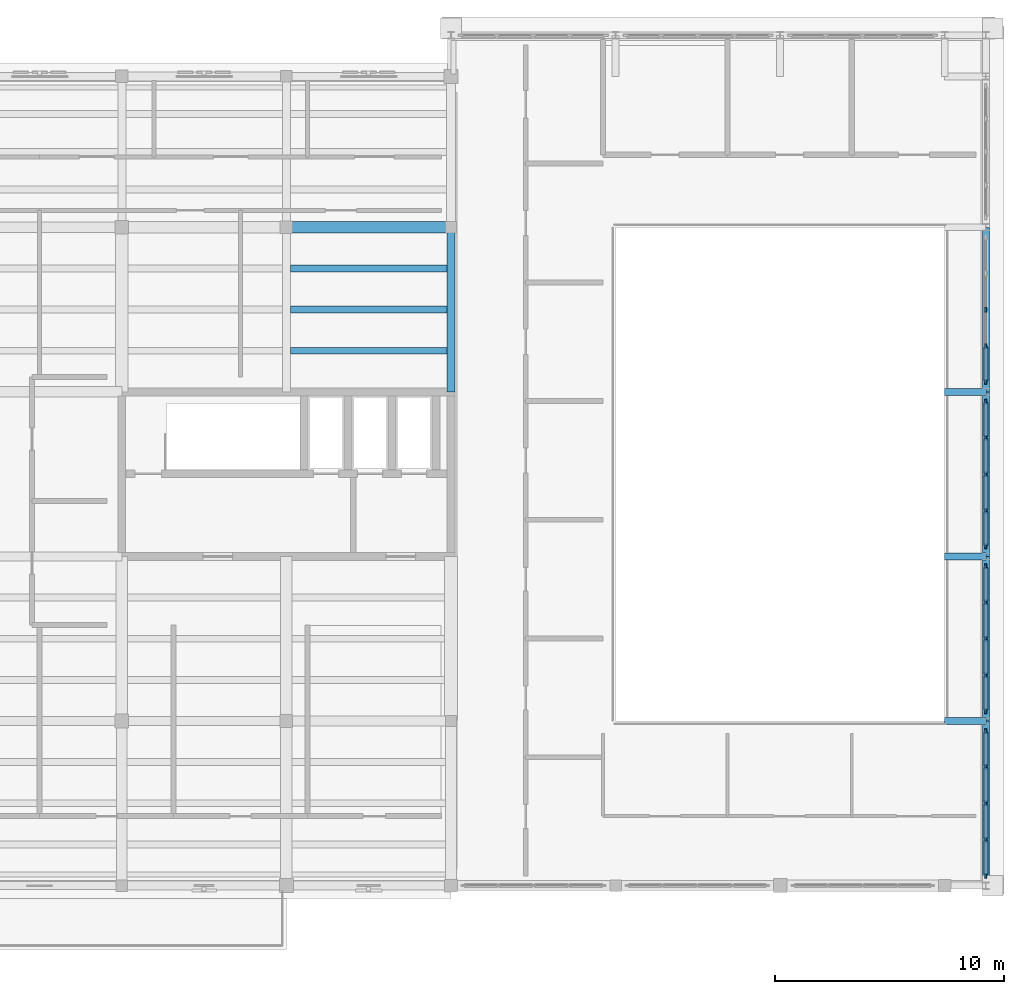
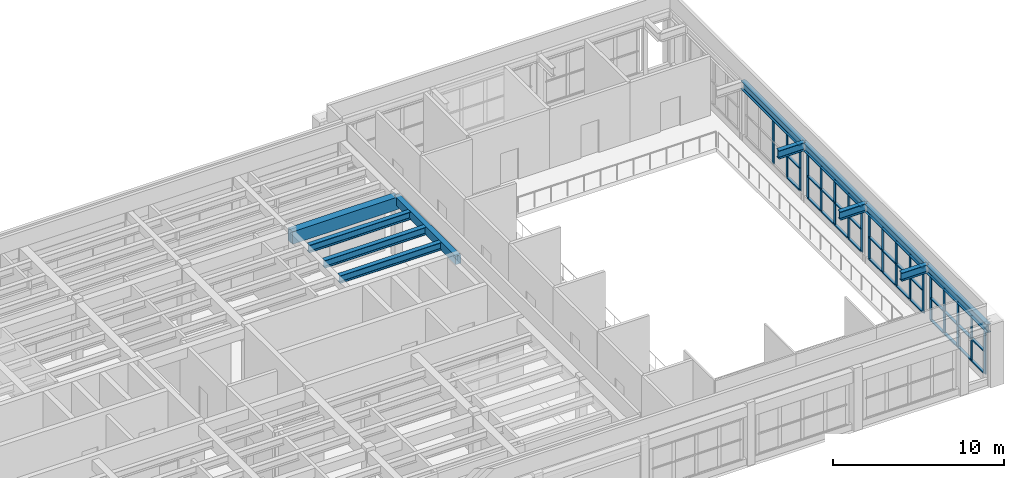
# One storey, part 7 of 18: 57 members, 12 beams, 4 elements without a shape of their own.
"""IFC4 building model written with IfcOpenShell, lengths in metres."""

from ifc_helpers import new_model, si_unit, direction, frame, origin, origin_2d, place, context, subcontext, project, spatial, rectangle, i_section, extrude, material, material_profile, profile_set, type_object, element, aggregate, save


model = new_model("IFC4")

# Units and contexts
model_context = context("Model", 3, precision=1e-05, world=origin(), true_north=direction((0.0, 1.0)))
body_context = subcontext(model_context, "Body", "Model", "MODEL_VIEW")
ifc_project = project(units=[si_unit("LENGTHUNIT", "METRE"), si_unit("AREAUNIT", "SQUARE_METRE"), si_unit("VOLUMEUNIT", "CUBIC_METRE"), si_unit("PLANEANGLEUNIT", "RADIAN"), si_unit("MASSUNIT", "GRAM", prefix="KILO")], contexts=[model_context])

# Site, building, storey
site_placement = place(None, origin())
site = spatial("IfcSite", under=ifc_project, at=site_placement, CompositionType="ELEMENT")
building_placement = place(site_placement, origin())
building = spatial("IfcBuilding", under=site, at=building_placement, Name="Mithqara Police Headquarters", CompositionType="ELEMENT")
storey_placement = place(building_placement, frame((0.0, 0.0, 30.89990234375)))
storey = spatial("IfcBuildingStorey", under=building, at=storey_placement, Name="L07", CompositionType="ELEMENT", Elevation=30.89990234375)

# Beams
ifc_material_1 = material(Name="Steel S355JR", Category="steel")
ifc_material_profile_1 = material_profile(ifc_material_1, i_section(OverallWidth=0.300048828125, OverallDepth=0.550048828125, WebThickness=0.014892578125, FlangeThickness=0.029052734375, FilletRadius=0.027099609375, at=origin_2d()), Name="HEB 550")
ifc_profile_set_1 = profile_set([ifc_material_profile_1], Name="Steel S355JR")
beam_type_1 = type_object("IfcBeamType", Name="BEAM HEB550", PredefinedType="BEAM", material=ifc_profile_set_1)
for number, where, z_axis, x_axis, name in (
    (1, (137.574951171875, 102.0, 3.97509765625), (1.0, 0.0, 0.0), (0.0, 1.0, 0.0), "L07 Composite Steel Joist 20-21/Q.1"),
    (2, (137.574951171875, 103.800048828125, 3.97509765625), (1.0, 0.0, 0.0), (0.0, 1.0, 0.0), "L07 Composite Steel Joist 20-21/Q.2"),
    (3, (137.574951171875, 105.60009765625, 3.97509765625), (1.0, 0.0, 0.0), (0.0, 1.0, 0.0), "L07 Composite Steel Joist 20-21/Q.3"),
):
    element("IfcBeam", number, at=place(storey_placement, frame(where, z_axis=z_axis, x_axis=x_axis)), inside=storey, type_object=beam_type_1, Name=name, PredefinedType="BEAM", context=body_context, shape_type="SweptSolid", body=[
        extrude(i_section(OverallWidth=0.300048828125, OverallDepth=0.550048828125, WebThickness=0.014892578125, FlangeThickness=0.029052734375, FilletRadius=0.027099609375, at=origin_2d()), origin(), (0.0, 0.0, 1.0), 6.85009765625),
    ])
ifc_material_2 = material(Name="Concrete C40/50", Category="concrete")
ifc_material_profile_2 = material_profile(ifc_material_2, rectangle(XDim=0.35009765625, YDim=0.60009765625, at=origin_2d()), Name="RC 350x600")
ifc_profile_set_2 = profile_set([ifc_material_profile_2], Name="Concrete C40/50")
beam_type_2 = type_object("IfcBeamType", Name="BEAM RC350X600", PredefinedType="BEAM", material=ifc_profile_set_2)
beam_1_placement = place(storey_placement, frame((144.60009765625, 100.199951171875, 3.9501953125), z_axis=(0.0, 1.0, 0.0), x_axis=(-1.0, 0.0, 0.0)))
element("IfcBeam", 4, at=beam_1_placement, inside=storey, type_object=beam_type_2, Name="L07 Girder 21/Q-R", PredefinedType="BEAM", context=body_context, shape_type="SweptSolid", body=[
    extrude(rectangle(XDim=0.35009765625, YDim=0.60009765625, at=origin_2d()), origin(), (0.0, 0.0, 1.0), 7.199951171875),
])
ifc_material_3 = material(Name="Concrete C50/60", Category="concrete")
ifc_material_profile_3 = material_profile(ifc_material_3, rectangle(XDim=0.5, YDim=0.89990234375, at=origin_2d()), Name="RC 500x900")
ifc_profile_set_3 = profile_set([ifc_material_profile_3], Name="Concrete C50/60")
beam_type_3 = type_object("IfcBeamType", Name="BEAM RC500X900", PredefinedType="BEAM", material=ifc_profile_set_3)
beam_2_placement = place(storey_placement, frame((137.39990234375, 107.39990234375, 3.800048828125), z_axis=(1.0, 0.0, 0.0), x_axis=(0.0, 1.0, 0.0)))
element("IfcBeam", 5, at=beam_2_placement, inside=storey, type_object=beam_type_3, Name="L07 Girder 20-21/R", PredefinedType="BEAM", context=body_context, shape_type="SweptSolid", body=[
    extrude(rectangle(XDim=0.5, YDim=0.89990234375, at=origin_2d()), origin(), (0.0, 0.0, 1.0), 7.2001953125),
])

# Curtain wall, members
ifc_material_4 = material(Name="Bronze anodised aluminium 6063-T6", Category="aluminium")
curtain_wall_type = type_object("IfcCurtainWallType", Name="CURTAIN WALL 6400X3200", PredefinedType="USERDEFINED", material=ifc_material_4)
curtain_wall_1_placement = place(storey_placement, origin())
curtain_wall_1 = element("IfcCurtainWall", 6, at=curtain_wall_1_placement, inside=storey, type_object=curtain_wall_type, Name="L07 Unitised Glazing CW-09 (CW-CUBE-L07-P0-E02-S0-00)", ObjectType="UNITISED GLAZING", PredefinedType="USERDEFINED")
ifc_material_profile_4 = material_profile(ifc_material_4, rectangle(XDim=0.074951171875, YDim=0.219970703125, at=origin_2d()), Name="CWM 75x220")
ifc_profile_set_4 = profile_set([ifc_material_profile_4], Name="Bronze anodised aluminium 6063-T6")
member_type_1 = type_object("IfcMemberType", Name="CWMULLION 75X220", PredefinedType="MULLION", material=ifc_profile_set_4)
member_1_placement = place(storey_placement, frame((168.0, 79.03759765625, 0.4501953125), z_axis=(0.0, 0.0, 1.0), x_axis=(-1.0, 0.0, 0.0)))
member_1 = element("IfcMember", 7, at=member_1_placement, type_object=member_type_1, Name="CW-09 mullion 1", PredefinedType="MULLION", context=body_context, shape_type="SweptSolid", body=[
    extrude(rectangle(XDim=0.074951171875, YDim=0.219970703125, at=origin_2d()), origin(), (0.0, 0.0, 1.0), 3.199951171875),
])
member_2_placement = place(storey_placement, frame((168.0, 80.60009765625, 0.4501953125), z_axis=(0.0, 0.0, 1.0), x_axis=(-1.0, 0.0, 0.0)))
member_2 = element("IfcMember", 8, at=member_2_placement, type_object=member_type_1, Name="CW-09 mullion 2", PredefinedType="MULLION", context=body_context, shape_type="SweptSolid", body=[
    extrude(rectangle(XDim=0.074951171875, YDim=0.219970703125, at=origin_2d()), origin(), (0.0, 0.0, 1.0), 3.199951171875),
])
member_3_placement = place(storey_placement, frame((168.0, 82.199951171875, 0.4501953125), z_axis=(0.0, 0.0, 1.0), x_axis=(-1.0, 0.0, 0.0)))
member_3 = element("IfcMember", 9, at=member_3_placement, type_object=member_type_1, Name="CW-09 mullion 3", PredefinedType="MULLION", context=body_context, shape_type="SweptSolid", body=[
    extrude(rectangle(XDim=0.074951171875, YDim=0.219970703125, at=origin_2d()), origin(), (0.0, 0.0, 1.0), 3.199951171875),
])
member_4_placement = place(storey_placement, frame((168.0, 83.800048828125, 0.4501953125), z_axis=(0.0, 0.0, 1.0), x_axis=(-1.0, 0.0, 0.0)))
member_4 = element("IfcMember", 10, at=member_4_placement, type_object=member_type_1, Name="CW-09 mullion 4", PredefinedType="MULLION", context=body_context, shape_type="SweptSolid", body=[
    extrude(rectangle(XDim=0.074951171875, YDim=0.219970703125, at=origin_2d()), origin(), (0.0, 0.0, 1.0), 3.199951171875),
])
member_5_placement = place(storey_placement, frame((168.0, 85.362548828125, 0.4501953125), z_axis=(0.0, 0.0, 1.0), x_axis=(-1.0, 0.0, 0.0)))
member_5 = element("IfcMember", 11, at=member_5_placement, type_object=member_type_1, Name="CW-09 mullion 5", PredefinedType="MULLION", context=body_context, shape_type="SweptSolid", body=[
    extrude(rectangle(XDim=0.074951171875, YDim=0.219970703125, at=origin_2d()), origin(), (0.0, 0.0, 1.0), 3.199951171875),
])

curtain_wall_2_placement = place(storey_placement, origin())
curtain_wall_2 = element("IfcCurtainWall", 12, at=curtain_wall_2_placement, inside=storey, type_object=curtain_wall_type, Name="L07 Unitised Glazing CW-09 (CW-CUBE-L07-P0-E02-S0-01)", ObjectType="UNITISED GLAZING", PredefinedType="USERDEFINED")
member_6_placement = place(storey_placement, frame((168.0, 86.237548828125, 0.4501953125), z_axis=(0.0, 0.0, 1.0), x_axis=(-1.0, 0.0, 0.0)))
member_6 = element("IfcMember", 13, at=member_6_placement, type_object=member_type_1, Name="CW-09 mullion 1", PredefinedType="MULLION", context=body_context, shape_type="SweptSolid", body=[
    extrude(rectangle(XDim=0.074951171875, YDim=0.219970703125, at=origin_2d()), origin(), (0.0, 0.0, 1.0), 3.199951171875),
])
member_7_placement = place(storey_placement, frame((168.0, 87.800048828125, 0.4501953125), z_axis=(0.0, 0.0, 1.0), x_axis=(-1.0, 0.0, 0.0)))
member_7 = element("IfcMember", 14, at=member_7_placement, type_object=member_type_1, Name="CW-09 mullion 2", PredefinedType="MULLION", context=body_context, shape_type="SweptSolid", body=[
    extrude(rectangle(XDim=0.074951171875, YDim=0.219970703125, at=origin_2d()), origin(), (0.0, 0.0, 1.0), 3.199951171875),
])
member_8_placement = place(storey_placement, frame((168.0, 89.39990234375, 0.4501953125), z_axis=(0.0, 0.0, 1.0), x_axis=(-1.0, 0.0, 0.0)))
member_8 = element("IfcMember", 15, at=member_8_placement, type_object=member_type_1, Name="CW-09 mullion 3", PredefinedType="MULLION", context=body_context, shape_type="SweptSolid", body=[
    extrude(rectangle(XDim=0.074951171875, YDim=0.219970703125, at=origin_2d()), origin(), (0.0, 0.0, 1.0), 3.199951171875),
])
member_9_placement = place(storey_placement, frame((168.0, 91.0, 0.4501953125), z_axis=(0.0, 0.0, 1.0), x_axis=(-1.0, 0.0, 0.0)))
member_9 = element("IfcMember", 16, at=member_9_placement, type_object=member_type_1, Name="CW-09 mullion 4", PredefinedType="MULLION", context=body_context, shape_type="SweptSolid", body=[
    extrude(rectangle(XDim=0.074951171875, YDim=0.219970703125, at=origin_2d()), origin(), (0.0, 0.0, 1.0), 3.199951171875),
])
member_10_placement = place(storey_placement, frame((168.0, 92.5625, 0.4501953125), z_axis=(0.0, 0.0, 1.0), x_axis=(-1.0, 0.0, 0.0)))
member_10 = element("IfcMember", 17, at=member_10_placement, type_object=member_type_1, Name="CW-09 mullion 5", PredefinedType="MULLION", context=body_context, shape_type="SweptSolid", body=[
    extrude(rectangle(XDim=0.074951171875, YDim=0.219970703125, at=origin_2d()), origin(), (0.0, 0.0, 1.0), 3.199951171875),
])

curtain_wall_3_placement = place(storey_placement, origin())
curtain_wall_3 = element("IfcCurtainWall", 18, at=curtain_wall_3_placement, inside=storey, type_object=curtain_wall_type, Name="L07 Unitised Glazing CW-09 (CW-CUBE-L07-P0-E02-S0-02)", ObjectType="UNITISED GLAZING", PredefinedType="USERDEFINED")
member_11_placement = place(storey_placement, frame((168.0, 93.4375, 0.4501953125), z_axis=(0.0, 0.0, 1.0), x_axis=(-1.0, 0.0, 0.0)))
member_11 = element("IfcMember", 19, at=member_11_placement, type_object=member_type_1, Name="CW-09 mullion 1", PredefinedType="MULLION", context=body_context, shape_type="SweptSolid", body=[
    extrude(rectangle(XDim=0.074951171875, YDim=0.219970703125, at=origin_2d()), origin(), (0.0, 0.0, 1.0), 3.199951171875),
])
member_12_placement = place(storey_placement, frame((168.0, 95.0, 0.4501953125), z_axis=(0.0, 0.0, 1.0), x_axis=(-1.0, 0.0, 0.0)))
member_12 = element("IfcMember", 20, at=member_12_placement, type_object=member_type_1, Name="CW-09 mullion 2", PredefinedType="MULLION", context=body_context, shape_type="SweptSolid", body=[
    extrude(rectangle(XDim=0.074951171875, YDim=0.219970703125, at=origin_2d()), origin(), (0.0, 0.0, 1.0), 3.199951171875),
])
member_13_placement = place(storey_placement, frame((168.0, 96.60009765625, 0.4501953125), z_axis=(0.0, 0.0, 1.0), x_axis=(-1.0, 0.0, 0.0)))
member_13 = element("IfcMember", 21, at=member_13_placement, type_object=member_type_1, Name="CW-09 mullion 3", PredefinedType="MULLION", context=body_context, shape_type="SweptSolid", body=[
    extrude(rectangle(XDim=0.074951171875, YDim=0.219970703125, at=origin_2d()), origin(), (0.0, 0.0, 1.0), 3.199951171875),
])
member_14_placement = place(storey_placement, frame((168.0, 98.199951171875, 0.4501953125), z_axis=(0.0, 0.0, 1.0), x_axis=(-1.0, 0.0, 0.0)))
member_14 = element("IfcMember", 22, at=member_14_placement, type_object=member_type_1, Name="CW-09 mullion 4", PredefinedType="MULLION", context=body_context, shape_type="SweptSolid", body=[
    extrude(rectangle(XDim=0.074951171875, YDim=0.219970703125, at=origin_2d()), origin(), (0.0, 0.0, 1.0), 3.199951171875),
])
member_15_placement = place(storey_placement, frame((168.0, 99.762451171875, 0.4501953125), z_axis=(0.0, 0.0, 1.0), x_axis=(-1.0, 0.0, 0.0)))
member_15 = element("IfcMember", 23, at=member_15_placement, type_object=member_type_1, Name="CW-09 mullion 5", PredefinedType="MULLION", context=body_context, shape_type="SweptSolid", body=[
    extrude(rectangle(XDim=0.074951171875, YDim=0.219970703125, at=origin_2d()), origin(), (0.0, 0.0, 1.0), 3.199951171875),
])

curtain_wall_4_placement = place(storey_placement, origin())
curtain_wall_4 = element("IfcCurtainWall", 24, at=curtain_wall_4_placement, inside=storey, type_object=curtain_wall_type, Name="L07 Unitised Glazing CW-09 (CW-CUBE-L07-P0-E02-S0-03)", ObjectType="UNITISED GLAZING", PredefinedType="USERDEFINED")
member_16_placement = place(storey_placement, frame((168.0, 100.637451171875, 0.4501953125), z_axis=(0.0, 0.0, 1.0), x_axis=(-1.0, 0.0, 0.0)))
member_16 = element("IfcMember", 25, at=member_16_placement, type_object=member_type_1, Name="CW-09 mullion 1", PredefinedType="MULLION", context=body_context, shape_type="SweptSolid", body=[
    extrude(rectangle(XDim=0.074951171875, YDim=0.219970703125, at=origin_2d()), origin(), (0.0, 0.0, 1.0), 3.199951171875),
])
member_17_placement = place(storey_placement, frame((168.0, 102.199951171875, 0.4501953125), z_axis=(0.0, 0.0, 1.0), x_axis=(-1.0, 0.0, 0.0)))
member_17 = element("IfcMember", 26, at=member_17_placement, type_object=member_type_1, Name="CW-09 mullion 2", PredefinedType="MULLION", context=body_context, shape_type="SweptSolid", body=[
    extrude(rectangle(XDim=0.074951171875, YDim=0.219970703125, at=origin_2d()), origin(), (0.0, 0.0, 1.0), 3.199951171875),
])
member_18_placement = place(storey_placement, frame((168.0, 103.800048828125, 0.4501953125), z_axis=(0.0, 0.0, 1.0), x_axis=(-1.0, 0.0, 0.0)))
member_18 = element("IfcMember", 27, at=member_18_placement, type_object=member_type_1, Name="CW-09 mullion 3", PredefinedType="MULLION", context=body_context, shape_type="SweptSolid", body=[
    extrude(rectangle(XDim=0.074951171875, YDim=0.219970703125, at=origin_2d()), origin(), (0.0, 0.0, 1.0), 3.199951171875),
])

# Member
ifc_material_profile_5 = material_profile(ifc_material_4, rectangle(XDim=0.179931640625, YDim=0.074951171875, at=origin_2d()), Name="CWT 180x75")
ifc_profile_set_5 = profile_set([ifc_material_profile_5], Name="Bronze anodised aluminium 6063-T6")
member_type_2 = type_object("IfcMemberType", Name="CWTRANSOM 180X75", PredefinedType="USERDEFINED", material=ifc_profile_set_5)
member_19_placement = place(storey_placement, frame((168.0, 79.074951171875, 0.487548828125), z_axis=(0.0, 1.0, 0.0), x_axis=(-1.0, 0.0, 0.0)))
member_19 = element("IfcMember", 28, at=member_19_placement, type_object=member_type_2, Name="CW-09 transom 1.1", ObjectType="TRANSOM", PredefinedType="USERDEFINED", context=body_context, shape_type="SweptSolid", body=[
    extrude(rectangle(XDim=0.179931640625, YDim=0.074951171875, at=origin_2d()), origin(), (0.0, 0.0, 1.0), 1.487548828125),
])

member_20_placement = place(storey_placement, frame((168.0, 79.074951171875, 2.050048828125), z_axis=(0.0, 1.0, 0.0), x_axis=(-1.0, 0.0, 0.0)))
member_20 = element("IfcMember", 29, at=member_20_placement, type_object=member_type_2, Name="CW-09 transom 1.2", ObjectType="TRANSOM", PredefinedType="USERDEFINED", context=body_context, shape_type="SweptSolid", body=[
    extrude(rectangle(XDim=0.179931640625, YDim=0.074951171875, at=origin_2d()), origin(), (0.0, 0.0, 1.0), 1.487548828125),
])

member_21_placement = place(storey_placement, frame((168.0, 79.074951171875, 3.612548828125), z_axis=(0.0, 1.0, 0.0), x_axis=(-1.0, 0.0, 0.0)))
member_21 = element("IfcMember", 30, at=member_21_placement, type_object=member_type_2, Name="CW-09 transom 1.3", ObjectType="TRANSOM", PredefinedType="USERDEFINED", context=body_context, shape_type="SweptSolid", body=[
    extrude(rectangle(XDim=0.179931640625, YDim=0.074951171875, at=origin_2d()), origin(), (0.0, 0.0, 1.0), 1.487548828125),
])

member_22_placement = place(storey_placement, frame((168.0, 80.637451171875, 0.487548828125), z_axis=(0.0, 1.0, 0.0), x_axis=(-1.0, 0.0, 0.0)))
member_22 = element("IfcMember", 31, at=member_22_placement, type_object=member_type_2, Name="CW-09 transom 2.1", ObjectType="TRANSOM", PredefinedType="USERDEFINED", context=body_context, shape_type="SweptSolid", body=[
    extrude(rectangle(XDim=0.179931640625, YDim=0.074951171875, at=origin_2d()), origin(), (0.0, 0.0, 1.0), 1.525146484375),
])

member_23_placement = place(storey_placement, frame((168.0, 80.637451171875, 2.050048828125), z_axis=(0.0, 1.0, 0.0), x_axis=(-1.0, 0.0, 0.0)))
member_23 = element("IfcMember", 32, at=member_23_placement, type_object=member_type_2, Name="CW-09 transom 2.2", ObjectType="TRANSOM", PredefinedType="USERDEFINED", context=body_context, shape_type="SweptSolid", body=[
    extrude(rectangle(XDim=0.179931640625, YDim=0.074951171875, at=origin_2d()), origin(), (0.0, 0.0, 1.0), 1.525146484375),
])

member_24_placement = place(storey_placement, frame((168.0, 80.637451171875, 3.612548828125), z_axis=(0.0, 1.0, 0.0), x_axis=(-1.0, 0.0, 0.0)))
member_24 = element("IfcMember", 33, at=member_24_placement, type_object=member_type_2, Name="CW-09 transom 2.3", ObjectType="TRANSOM", PredefinedType="USERDEFINED", context=body_context, shape_type="SweptSolid", body=[
    extrude(rectangle(XDim=0.179931640625, YDim=0.074951171875, at=origin_2d()), origin(), (0.0, 0.0, 1.0), 1.525146484375),
])

member_25_placement = place(storey_placement, frame((168.0, 82.237548828125, 0.487548828125), z_axis=(0.0, 1.0, 0.0), x_axis=(-1.0, 0.0, 0.0)))
member_25 = element("IfcMember", 34, at=member_25_placement, type_object=member_type_2, Name="CW-09 transom 3.1", ObjectType="TRANSOM", PredefinedType="USERDEFINED", context=body_context, shape_type="SweptSolid", body=[
    extrude(rectangle(XDim=0.179931640625, YDim=0.074951171875, at=origin_2d()), origin(), (0.0, 0.0, 1.0), 1.52490234375),
])

member_26_placement = place(storey_placement, frame((168.0, 82.237548828125, 2.050048828125), z_axis=(0.0, 1.0, 0.0), x_axis=(-1.0, 0.0, 0.0)))
member_26 = element("IfcMember", 35, at=member_26_placement, type_object=member_type_2, Name="CW-09 transom 3.2", ObjectType="TRANSOM", PredefinedType="USERDEFINED", context=body_context, shape_type="SweptSolid", body=[
    extrude(rectangle(XDim=0.179931640625, YDim=0.074951171875, at=origin_2d()), origin(), (0.0, 0.0, 1.0), 1.52490234375),
])

member_27_placement = place(storey_placement, frame((168.0, 82.237548828125, 3.612548828125), z_axis=(0.0, 1.0, 0.0), x_axis=(-1.0, 0.0, 0.0)))
member_27 = element("IfcMember", 36, at=member_27_placement, type_object=member_type_2, Name="CW-09 transom 3.3", ObjectType="TRANSOM", PredefinedType="USERDEFINED", context=body_context, shape_type="SweptSolid", body=[
    extrude(rectangle(XDim=0.179931640625, YDim=0.074951171875, at=origin_2d()), origin(), (0.0, 0.0, 1.0), 1.52490234375),
])

member_28_placement = place(storey_placement, frame((168.0, 83.83740234375, 0.487548828125), z_axis=(0.0, 1.0, 0.0), x_axis=(-1.0, 0.0, 0.0)))
member_28 = element("IfcMember", 37, at=member_28_placement, type_object=member_type_2, Name="CW-09 transom 4.1", ObjectType="TRANSOM", PredefinedType="USERDEFINED", context=body_context, shape_type="SweptSolid", body=[
    extrude(rectangle(XDim=0.179931640625, YDim=0.074951171875, at=origin_2d()), origin(), (0.0, 0.0, 1.0), 1.487548828125),
])

member_29_placement = place(storey_placement, frame((168.0, 83.83740234375, 2.050048828125), z_axis=(0.0, 1.0, 0.0), x_axis=(-1.0, 0.0, 0.0)))
member_29 = element("IfcMember", 38, at=member_29_placement, type_object=member_type_2, Name="CW-09 transom 4.2", ObjectType="TRANSOM", PredefinedType="USERDEFINED", context=body_context, shape_type="SweptSolid", body=[
    extrude(rectangle(XDim=0.179931640625, YDim=0.074951171875, at=origin_2d()), origin(), (0.0, 0.0, 1.0), 1.487548828125),
])

member_30_placement = place(storey_placement, frame((168.0, 83.83740234375, 3.612548828125), z_axis=(0.0, 1.0, 0.0), x_axis=(-1.0, 0.0, 0.0)))
member_30 = element("IfcMember", 39, at=member_30_placement, type_object=member_type_2, Name="CW-09 transom 4.3", ObjectType="TRANSOM", PredefinedType="USERDEFINED", context=body_context, shape_type="SweptSolid", body=[
    extrude(rectangle(XDim=0.179931640625, YDim=0.074951171875, at=origin_2d()), origin(), (0.0, 0.0, 1.0), 1.487548828125),
])

aggregate(curtain_wall_1, [member_1, member_2, member_3, member_4, member_5, member_19, member_20, member_21, member_22, member_23, member_24, member_25, member_26, member_27, member_28, member_29, member_30])

member_31_placement = place(storey_placement, frame((168.0, 86.27490234375, 0.487548828125), z_axis=(0.0, 1.0, 0.0), x_axis=(-1.0, 0.0, 0.0)))
member_31 = element("IfcMember", 40, at=member_31_placement, type_object=member_type_2, Name="CW-09 transom 1.1", ObjectType="TRANSOM", PredefinedType="USERDEFINED", context=body_context, shape_type="SweptSolid", body=[
    extrude(rectangle(XDim=0.179931640625, YDim=0.074951171875, at=origin_2d()), origin(), (0.0, 0.0, 1.0), 1.487548828125),
])

member_32_placement = place(storey_placement, frame((168.0, 86.27490234375, 2.050048828125), z_axis=(0.0, 1.0, 0.0), x_axis=(-1.0, 0.0, 0.0)))
member_32 = element("IfcMember", 41, at=member_32_placement, type_object=member_type_2, Name="CW-09 transom 1.2", ObjectType="TRANSOM", PredefinedType="USERDEFINED", context=body_context, shape_type="SweptSolid", body=[
    extrude(rectangle(XDim=0.179931640625, YDim=0.074951171875, at=origin_2d()), origin(), (0.0, 0.0, 1.0), 1.487548828125),
])

member_33_placement = place(storey_placement, frame((168.0, 86.27490234375, 3.612548828125), z_axis=(0.0, 1.0, 0.0), x_axis=(-1.0, 0.0, 0.0)))
member_33 = element("IfcMember", 42, at=member_33_placement, type_object=member_type_2, Name="CW-09 transom 1.3", ObjectType="TRANSOM", PredefinedType="USERDEFINED", context=body_context, shape_type="SweptSolid", body=[
    extrude(rectangle(XDim=0.179931640625, YDim=0.074951171875, at=origin_2d()), origin(), (0.0, 0.0, 1.0), 1.487548828125),
])

member_34_placement = place(storey_placement, frame((168.0, 87.83740234375, 0.487548828125), z_axis=(0.0, 1.0, 0.0), x_axis=(-1.0, 0.0, 0.0)))
member_34 = element("IfcMember", 43, at=member_34_placement, type_object=member_type_2, Name="CW-09 transom 2.1", ObjectType="TRANSOM", PredefinedType="USERDEFINED", context=body_context, shape_type="SweptSolid", body=[
    extrude(rectangle(XDim=0.179931640625, YDim=0.074951171875, at=origin_2d()), origin(), (0.0, 0.0, 1.0), 1.525146484375),
])

member_35_placement = place(storey_placement, frame((168.0, 87.83740234375, 2.050048828125), z_axis=(0.0, 1.0, 0.0), x_axis=(-1.0, 0.0, 0.0)))
member_35 = element("IfcMember", 44, at=member_35_placement, type_object=member_type_2, Name="CW-09 transom 2.2", ObjectType="TRANSOM", PredefinedType="USERDEFINED", context=body_context, shape_type="SweptSolid", body=[
    extrude(rectangle(XDim=0.179931640625, YDim=0.074951171875, at=origin_2d()), origin(), (0.0, 0.0, 1.0), 1.525146484375),
])

member_36_placement = place(storey_placement, frame((168.0, 87.83740234375, 3.612548828125), z_axis=(0.0, 1.0, 0.0), x_axis=(-1.0, 0.0, 0.0)))
member_36 = element("IfcMember", 45, at=member_36_placement, type_object=member_type_2, Name="CW-09 transom 2.3", ObjectType="TRANSOM", PredefinedType="USERDEFINED", context=body_context, shape_type="SweptSolid", body=[
    extrude(rectangle(XDim=0.179931640625, YDim=0.074951171875, at=origin_2d()), origin(), (0.0, 0.0, 1.0), 1.525146484375),
])

member_37_placement = place(storey_placement, frame((168.0, 89.4375, 0.487548828125), z_axis=(0.0, 1.0, 0.0), x_axis=(-1.0, 0.0, 0.0)))
member_37 = element("IfcMember", 46, at=member_37_placement, type_object=member_type_2, Name="CW-09 transom 3.1", ObjectType="TRANSOM", PredefinedType="USERDEFINED", context=body_context, shape_type="SweptSolid", body=[
    extrude(rectangle(XDim=0.179931640625, YDim=0.074951171875, at=origin_2d()), origin(), (0.0, 0.0, 1.0), 1.52490234375),
])

member_38_placement = place(storey_placement, frame((168.0, 89.4375, 2.050048828125), z_axis=(0.0, 1.0, 0.0), x_axis=(-1.0, 0.0, 0.0)))
member_38 = element("IfcMember", 47, at=member_38_placement, type_object=member_type_2, Name="CW-09 transom 3.2", ObjectType="TRANSOM", PredefinedType="USERDEFINED", context=body_context, shape_type="SweptSolid", body=[
    extrude(rectangle(XDim=0.179931640625, YDim=0.074951171875, at=origin_2d()), origin(), (0.0, 0.0, 1.0), 1.52490234375),
])

member_39_placement = place(storey_placement, frame((168.0, 89.4375, 3.612548828125), z_axis=(0.0, 1.0, 0.0), x_axis=(-1.0, 0.0, 0.0)))
member_39 = element("IfcMember", 48, at=member_39_placement, type_object=member_type_2, Name="CW-09 transom 3.3", ObjectType="TRANSOM", PredefinedType="USERDEFINED", context=body_context, shape_type="SweptSolid", body=[
    extrude(rectangle(XDim=0.179931640625, YDim=0.074951171875, at=origin_2d()), origin(), (0.0, 0.0, 1.0), 1.52490234375),
])

member_40_placement = place(storey_placement, frame((168.0, 91.03759765625, 0.487548828125), z_axis=(0.0, 1.0, 0.0), x_axis=(-1.0, 0.0, 0.0)))
member_40 = element("IfcMember", 49, at=member_40_placement, type_object=member_type_2, Name="CW-09 transom 4.1", ObjectType="TRANSOM", PredefinedType="USERDEFINED", context=body_context, shape_type="SweptSolid", body=[
    extrude(rectangle(XDim=0.179931640625, YDim=0.074951171875, at=origin_2d()), origin(), (0.0, 0.0, 1.0), 1.4873046875),
])

member_41_placement = place(storey_placement, frame((168.0, 91.03759765625, 2.050048828125), z_axis=(0.0, 1.0, 0.0), x_axis=(-1.0, 0.0, 0.0)))
member_41 = element("IfcMember", 50, at=member_41_placement, type_object=member_type_2, Name="CW-09 transom 4.2", ObjectType="TRANSOM", PredefinedType="USERDEFINED", context=body_context, shape_type="SweptSolid", body=[
    extrude(rectangle(XDim=0.179931640625, YDim=0.074951171875, at=origin_2d()), origin(), (0.0, 0.0, 1.0), 1.4873046875),
])

member_42_placement = place(storey_placement, frame((168.0, 91.03759765625, 3.612548828125), z_axis=(0.0, 1.0, 0.0), x_axis=(-1.0, 0.0, 0.0)))
member_42 = element("IfcMember", 51, at=member_42_placement, type_object=member_type_2, Name="CW-09 transom 4.3", ObjectType="TRANSOM", PredefinedType="USERDEFINED", context=body_context, shape_type="SweptSolid", body=[
    extrude(rectangle(XDim=0.179931640625, YDim=0.074951171875, at=origin_2d()), origin(), (0.0, 0.0, 1.0), 1.4873046875),
])

aggregate(curtain_wall_2, [member_6, member_7, member_8, member_9, member_10, member_31, member_32, member_33, member_34, member_35, member_36, member_37, member_38, member_39, member_40, member_41, member_42])

member_43_placement = place(storey_placement, frame((168.0, 93.47509765625, 0.487548828125), z_axis=(0.0, 1.0, 0.0), x_axis=(-1.0, 0.0, 0.0)))
member_43 = element("IfcMember", 52, at=member_43_placement, type_object=member_type_2, Name="CW-09 transom 1.1", ObjectType="TRANSOM", PredefinedType="USERDEFINED", context=body_context, shape_type="SweptSolid", body=[
    extrude(rectangle(XDim=0.179931640625, YDim=0.074951171875, at=origin_2d()), origin(), (0.0, 0.0, 1.0), 1.4873046875),
])

member_44_placement = place(storey_placement, frame((168.0, 93.47509765625, 2.050048828125), z_axis=(0.0, 1.0, 0.0), x_axis=(-1.0, 0.0, 0.0)))
member_44 = element("IfcMember", 53, at=member_44_placement, type_object=member_type_2, Name="CW-09 transom 1.2", ObjectType="TRANSOM", PredefinedType="USERDEFINED", context=body_context, shape_type="SweptSolid", body=[
    extrude(rectangle(XDim=0.179931640625, YDim=0.074951171875, at=origin_2d()), origin(), (0.0, 0.0, 1.0), 1.4873046875),
])

member_45_placement = place(storey_placement, frame((168.0, 93.47509765625, 3.612548828125), z_axis=(0.0, 1.0, 0.0), x_axis=(-1.0, 0.0, 0.0)))
member_45 = element("IfcMember", 54, at=member_45_placement, type_object=member_type_2, Name="CW-09 transom 1.3", ObjectType="TRANSOM", PredefinedType="USERDEFINED", context=body_context, shape_type="SweptSolid", body=[
    extrude(rectangle(XDim=0.179931640625, YDim=0.074951171875, at=origin_2d()), origin(), (0.0, 0.0, 1.0), 1.4873046875),
])

member_46_placement = place(storey_placement, frame((168.0, 95.03759765625, 0.487548828125), z_axis=(0.0, 1.0, 0.0), x_axis=(-1.0, 0.0, 0.0)))
member_46 = element("IfcMember", 55, at=member_46_placement, type_object=member_type_2, Name="CW-09 transom 2.1", ObjectType="TRANSOM", PredefinedType="USERDEFINED", context=body_context, shape_type="SweptSolid", body=[
    extrude(rectangle(XDim=0.179931640625, YDim=0.074951171875, at=origin_2d()), origin(), (0.0, 0.0, 1.0), 1.52490234375),
])

member_47_placement = place(storey_placement, frame((168.0, 95.03759765625, 2.050048828125), z_axis=(0.0, 1.0, 0.0), x_axis=(-1.0, 0.0, 0.0)))
member_47 = element("IfcMember", 56, at=member_47_placement, type_object=member_type_2, Name="CW-09 transom 2.2", ObjectType="TRANSOM", PredefinedType="USERDEFINED", context=body_context, shape_type="SweptSolid", body=[
    extrude(rectangle(XDim=0.179931640625, YDim=0.074951171875, at=origin_2d()), origin(), (0.0, 0.0, 1.0), 1.52490234375),
])

member_48_placement = place(storey_placement, frame((168.0, 95.03759765625, 3.612548828125), z_axis=(0.0, 1.0, 0.0), x_axis=(-1.0, 0.0, 0.0)))
member_48 = element("IfcMember", 57, at=member_48_placement, type_object=member_type_2, Name="CW-09 transom 2.3", ObjectType="TRANSOM", PredefinedType="USERDEFINED", context=body_context, shape_type="SweptSolid", body=[
    extrude(rectangle(XDim=0.179931640625, YDim=0.074951171875, at=origin_2d()), origin(), (0.0, 0.0, 1.0), 1.52490234375),
])

member_49_placement = place(storey_placement, frame((168.0, 96.637451171875, 0.487548828125), z_axis=(0.0, 1.0, 0.0), x_axis=(-1.0, 0.0, 0.0)))
member_49 = element("IfcMember", 58, at=member_49_placement, type_object=member_type_2, Name="CW-09 transom 3.1", ObjectType="TRANSOM", PredefinedType="USERDEFINED", context=body_context, shape_type="SweptSolid", body=[
    extrude(rectangle(XDim=0.179931640625, YDim=0.074951171875, at=origin_2d()), origin(), (0.0, 0.0, 1.0), 1.525146484375),
])

member_50_placement = place(storey_placement, frame((168.0, 96.637451171875, 2.050048828125), z_axis=(0.0, 1.0, 0.0), x_axis=(-1.0, 0.0, 0.0)))
member_50 = element("IfcMember", 59, at=member_50_placement, type_object=member_type_2, Name="CW-09 transom 3.2", ObjectType="TRANSOM", PredefinedType="USERDEFINED", context=body_context, shape_type="SweptSolid", body=[
    extrude(rectangle(XDim=0.179931640625, YDim=0.074951171875, at=origin_2d()), origin(), (0.0, 0.0, 1.0), 1.525146484375),
])

member_51_placement = place(storey_placement, frame((168.0, 96.637451171875, 3.612548828125), z_axis=(0.0, 1.0, 0.0), x_axis=(-1.0, 0.0, 0.0)))
member_51 = element("IfcMember", 60, at=member_51_placement, type_object=member_type_2, Name="CW-09 transom 3.3", ObjectType="TRANSOM", PredefinedType="USERDEFINED", context=body_context, shape_type="SweptSolid", body=[
    extrude(rectangle(XDim=0.179931640625, YDim=0.074951171875, at=origin_2d()), origin(), (0.0, 0.0, 1.0), 1.525146484375),
])

member_52_placement = place(storey_placement, frame((168.0, 98.237548828125, 0.487548828125), z_axis=(0.0, 1.0, 0.0), x_axis=(-1.0, 0.0, 0.0)))
member_52 = element("IfcMember", 61, at=member_52_placement, type_object=member_type_2, Name="CW-09 transom 4.1", ObjectType="TRANSOM", PredefinedType="USERDEFINED", context=body_context, shape_type="SweptSolid", body=[
    extrude(rectangle(XDim=0.179931640625, YDim=0.074951171875, at=origin_2d()), origin(), (0.0, 0.0, 1.0), 1.487548828125),
])

member_53_placement = place(storey_placement, frame((168.0, 98.237548828125, 2.050048828125), z_axis=(0.0, 1.0, 0.0), x_axis=(-1.0, 0.0, 0.0)))
member_53 = element("IfcMember", 62, at=member_53_placement, type_object=member_type_2, Name="CW-09 transom 4.2", ObjectType="TRANSOM", PredefinedType="USERDEFINED", context=body_context, shape_type="SweptSolid", body=[
    extrude(rectangle(XDim=0.179931640625, YDim=0.074951171875, at=origin_2d()), origin(), (0.0, 0.0, 1.0), 1.487548828125),
])

member_54_placement = place(storey_placement, frame((168.0, 98.237548828125, 3.612548828125), z_axis=(0.0, 1.0, 0.0), x_axis=(-1.0, 0.0, 0.0)))
member_54 = element("IfcMember", 63, at=member_54_placement, type_object=member_type_2, Name="CW-09 transom 4.3", ObjectType="TRANSOM", PredefinedType="USERDEFINED", context=body_context, shape_type="SweptSolid", body=[
    extrude(rectangle(XDim=0.179931640625, YDim=0.074951171875, at=origin_2d()), origin(), (0.0, 0.0, 1.0), 1.487548828125),
])

aggregate(curtain_wall_3, [member_11, member_12, member_13, member_14, member_15, member_43, member_44, member_45, member_46, member_47, member_48, member_49, member_50, member_51, member_52, member_53, member_54])

member_55_placement = place(storey_placement, frame((168.0, 100.675048828125, 0.487548828125), z_axis=(0.0, 1.0, 0.0), x_axis=(-1.0, 0.0, 0.0)))
member_55 = element("IfcMember", 64, at=member_55_placement, type_object=member_type_2, Name="CW-09 transom 1.1", ObjectType="TRANSOM", PredefinedType="USERDEFINED", context=body_context, shape_type="SweptSolid", body=[
    extrude(rectangle(XDim=0.179931640625, YDim=0.074951171875, at=origin_2d()), origin(), (0.0, 0.0, 1.0), 1.487548828125),
])

member_56_placement = place(storey_placement, frame((168.0, 100.675048828125, 2.050048828125), z_axis=(0.0, 1.0, 0.0), x_axis=(-1.0, 0.0, 0.0)))
member_56 = element("IfcMember", 65, at=member_56_placement, type_object=member_type_2, Name="CW-09 transom 1.2", ObjectType="TRANSOM", PredefinedType="USERDEFINED", context=body_context, shape_type="SweptSolid", body=[
    extrude(rectangle(XDim=0.179931640625, YDim=0.074951171875, at=origin_2d()), origin(), (0.0, 0.0, 1.0), 1.487548828125),
])

member_57_placement = place(storey_placement, frame((168.0, 100.675048828125, 3.612548828125), z_axis=(0.0, 1.0, 0.0), x_axis=(-1.0, 0.0, 0.0)))
member_57 = element("IfcMember", 66, at=member_57_placement, type_object=member_type_2, Name="CW-09 transom 1.3", ObjectType="TRANSOM", PredefinedType="USERDEFINED", context=body_context, shape_type="SweptSolid", body=[
    extrude(rectangle(XDim=0.179931640625, YDim=0.074951171875, at=origin_2d()), origin(), (0.0, 0.0, 1.0), 1.487548828125),
])

aggregate(curtain_wall_4, [member_16, member_17, member_18, member_55, member_56, member_57])

# Beams
ifc_material_profile_6 = material_profile(ifc_material_1, i_section(OverallWidth=0.300048828125, OverallDepth=0.60009765625, WebThickness=0.015380859375, FlangeThickness=0.030029296875, FilletRadius=0.027099609375, at=origin_2d()), Name="HEB 600")
ifc_profile_set_6 = profile_set([ifc_material_profile_6], Name="Steel S355JR")
beam_type_4 = type_object("IfcBeamType", Name="TRANSFER HEB600", PredefinedType="BEAM", material=ifc_profile_set_6)
for number, where, z_axis, x_axis, name in (
    (67, (166.199951171875, 85.800048828125, 3.9501953125), (1.0, 0.0, 0.0), (0.0, 1.0, 0.0), "L07 Command Cube Cantilever Transfer Girder Y-N"),
    (68, (166.199951171875, 93.0, 3.9501953125), (1.0, 0.0, 0.0), (0.0, 1.0, 0.0), "L07 Command Cube Cantilever Transfer Girder Y-P"),
    (69, (166.199951171875, 100.199951171875, 3.9501953125), (1.0, 0.0, 0.0), (0.0, 1.0, 0.0), "L07 Command Cube Cantilever Transfer Girder Y-Q"),
):
    element("IfcBeam", number, at=place(storey_placement, frame(where, z_axis=z_axis, x_axis=x_axis)), inside=storey, type_object=beam_type_4, Name=name, PredefinedType="BEAM", context=body_context, shape_type="SweptSolid", body=[
        extrude(i_section(OverallWidth=0.300048828125, OverallDepth=0.60009765625, WebThickness=0.015380859375, FlangeThickness=0.030029296875, FilletRadius=0.027099609375, at=origin_2d()), origin(), (0.0, 0.0, 1.0), 1.800048828125),
    ])
for number, where, z_axis, x_axis, name in (
    (70, (168.0, 78.60009765625, 3.9501953125), (0.0, 1.0, 0.0), (-1.0, 0.0, 0.0), "L07 Command Cube East Ring Beam 1"),
    (71, (168.0, 85.800048828125, 3.9501953125), (0.0, 1.0, 0.0), (-1.0, 0.0, 0.0), "L07 Command Cube East Ring Beam 2"),
    (72, (168.0, 93.0, 3.9501953125), (0.0, 1.0, 0.0), (-1.0, 0.0, 0.0), "L07 Command Cube East Ring Beam 3"),
    (73, (168.0, 100.199951171875, 3.9501953125), (0.0, 1.0, 0.0), (-1.0, 0.0, 0.0), "L07 Command Cube East Ring Beam 4"),
):
    element("IfcBeam", number, at=place(storey_placement, frame(where, z_axis=z_axis, x_axis=x_axis)), inside=storey, type_object=beam_type_4, Name=name, PredefinedType="BEAM", context=body_context, shape_type="SweptSolid", body=[
        extrude(i_section(OverallWidth=0.300048828125, OverallDepth=0.60009765625, WebThickness=0.015380859375, FlangeThickness=0.030029296875, FilletRadius=0.027099609375, at=origin_2d()), origin(), (0.0, 0.0, 1.0), 7.199951171875),
    ])

save(model, "model.ifc")
